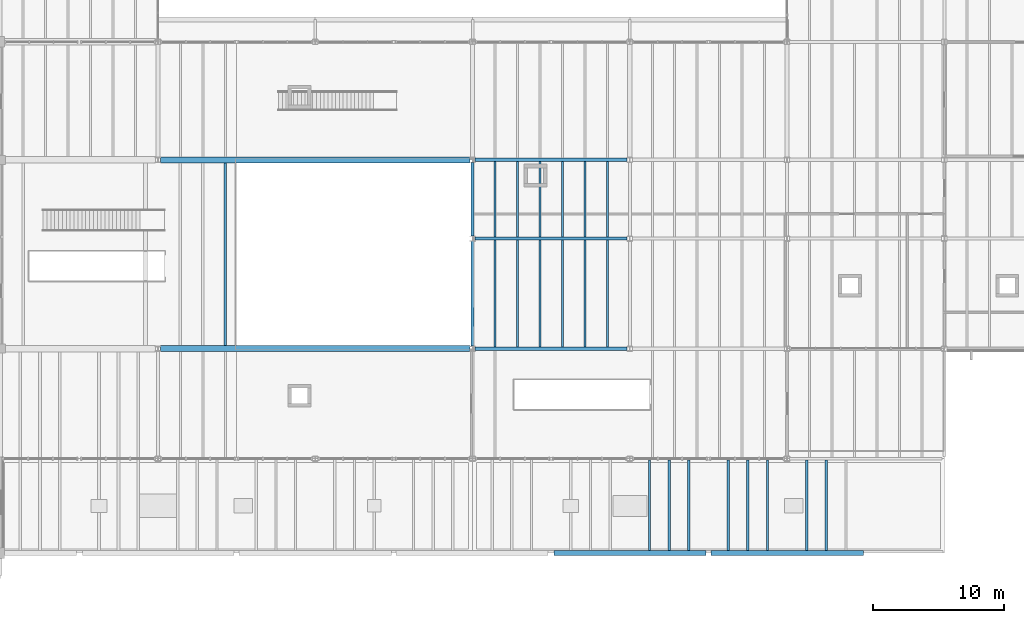
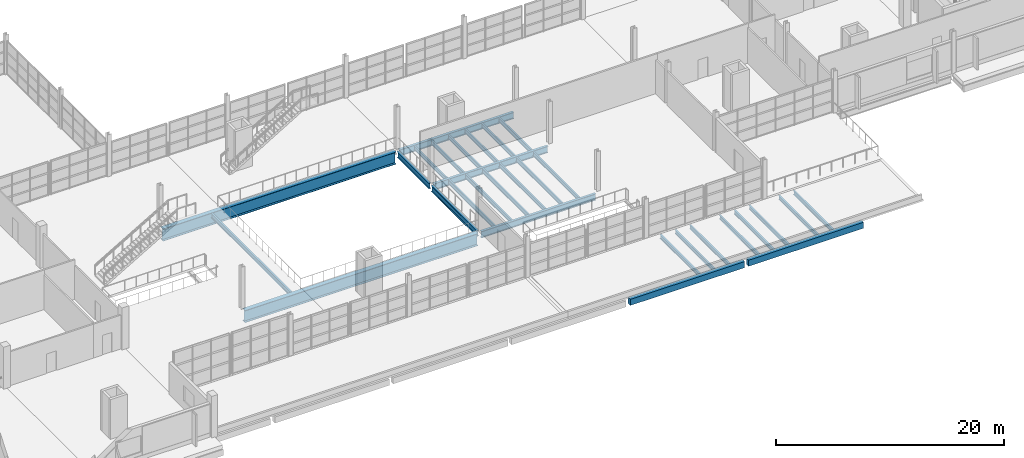
# One storey, part 35 of 114: 30 beams.
"""IFC4 building model written with IfcOpenShell, lengths in metres."""

from ifc_helpers import new_model, si_unit, direction, frame, origin, origin_2d, place, context, subcontext, project, spatial, rectangle, i_section, extrude, material, material_profile, profile_set, type_object, element, save


model = new_model("IFC4")

# Units and contexts
model_context = context("Model", 3, precision=1e-05, world=origin(), true_north=direction((0.0, 1.0)))
body_context = subcontext(model_context, "Body", "Model", "MODEL_VIEW")
ifc_project = project(units=[si_unit("LENGTHUNIT", "METRE"), si_unit("AREAUNIT", "SQUARE_METRE"), si_unit("VOLUMEUNIT", "CUBIC_METRE"), si_unit("PLANEANGLEUNIT", "RADIAN"), si_unit("MASSUNIT", "GRAM", prefix="KILO")], contexts=[model_context])

# Site, building, storey
site_placement = place(None, origin())
site = spatial("IfcSite", under=ifc_project, at=site_placement, CompositionType="ELEMENT")
building_placement = place(site_placement, origin())
building = spatial("IfcBuilding", under=site, at=building_placement, Name="Kelmvaro Bay Concert Hall", CompositionType="ELEMENT")
storey_placement = place(building_placement, frame((0.0, 0.0, 4.800048828125)))
storey = spatial("IfcBuildingStorey", under=building, at=storey_placement, Name="L01", CompositionType="ELEMENT", Elevation=4.800048828125)

# Beams
ifc_material_1 = material(Name="Steel ASTM A992 Grade 50", Category="steel")
ifc_material_profile_1 = material_profile(ifc_material_1, i_section(OverallWidth=0.19189453125, OverallDepth=0.4619140625, WebThickness=0.010498046875, FlangeThickness=0.017578125, at=origin_2d()), Name="W18X60")
ifc_profile_set_1 = profile_set([ifc_material_profile_1], Name="Steel ASTM A992 Grade 50")
beam_type_1 = type_object("IfcBeamType", Name="Acoustic Box Floor Joist W18x60", PredefinedType="JOIST", material=ifc_profile_set_1)
beam_1_placement = place(storey_placement, frame((65.142822265625, 15.824951171875, -0.48095703125), z_axis=(0.0, 1.0, 0.0), x_axis=(-1.0, 0.0, 0.0)))
element("IfcBeam", 1, at=beam_1_placement, inside=storey, type_object=beam_type_1, Name="L01 Floor Joist JST-L01-0294", PredefinedType="JOIST", context=body_context, shape_type="SweptSolid", body=[
    extrude(i_section(OverallWidth=0.19189453125, OverallDepth=0.4619140625, WebThickness=0.010498046875, FlangeThickness=0.017578125, at=origin_2d()), origin(), (0.0, 0.0, 1.0), 13.949951171875),
])
ifc_material_2 = material(Name="Concrete C40/50", Category="concrete")
ifc_material_profile_2 = material_profile(ifc_material_2, rectangle(XDim=0.39990234375, YDim=0.64990234375, at=origin_2d()), Name="RC-BM-400X650")
ifc_profile_set_2 = profile_set([ifc_material_profile_2], Name="Concrete C40/50")
beam_type_2 = type_object("IfcBeamType", Name="Canopy Edge Concrete Beam RC400x650", PredefinedType="BEAM", material=ifc_profile_set_2)
beam_2_placement = place(storey_placement, frame((90.22509765625, 0.0, -0.43505859375), z_axis=(1.0, 0.0, 0.0), x_axis=(0.0, 1.0, 0.0)))
element("IfcBeam", 2, at=beam_2_placement, inside=storey, type_object=beam_type_2, Name="L01 Girder BM-L01-EW-0009", PredefinedType="BEAM", context=body_context, shape_type="SweptSolid", body=[
    extrude(rectangle(XDim=0.39990234375, YDim=0.64990234375, at=origin_2d()), origin(), (0.0, 0.0, 1.0), 11.574951171875),
])
beam_3_placement = place(storey_placement, frame((102.199951171875, 0.0, -0.43505859375), z_axis=(1.0, 0.0, 0.0), x_axis=(0.0, 1.0, 0.0)))
element("IfcBeam", 3, at=beam_3_placement, inside=storey, type_object=beam_type_2, Name="L01 Girder BM-L01-EW-0010", PredefinedType="BEAM", context=body_context, shape_type="SweptSolid", body=[
    extrude(rectangle(XDim=0.39990234375, YDim=0.64990234375, at=origin_2d()), origin(), (0.0, 0.0, 1.0), 11.625),
])
ifc_material_3 = material(Name="Steel ASTM A992 Grade 50", Category="steel")
ifc_material_profile_3 = material_profile(ifc_material_3, i_section(OverallWidth=0.177978515625, OverallDepth=0.404052734375, WebThickness=0.007568359375, FlangeThickness=0.010986328125, at=origin_2d()), Name="W16X36")
ifc_profile_set_3 = profile_set([ifc_material_profile_3], Name="Steel ASTM A992 Grade 50")
beam_type_3 = type_object("IfcBeamType", Name="Canopy Roof Joist W16x36", PredefinedType="JOIST", material=ifc_profile_set_3)
for number, where, z_axis, x_axis, name in (
    (4, (97.5, 0.199951171875, -0.31201171875), (0.0, 1.0, 0.0), (-1.0, 0.0, 0.0), "L01 Floor Joist JST-L01-0255"),
    (5, (99.0, 0.199951171875, -0.31201171875), (0.0, 1.0, 0.0), (-1.0, 0.0, 0.0), "L01 Floor Joist JST-L01-0256"),
    (6, (100.5, 0.199951171875, -0.31201171875), (0.0, 1.0, 0.0), (-1.0, 0.0, 0.0), "L01 Floor Joist JST-L01-0257"),
    (7, (103.5, 0.199951171875, -0.31201171875), (0.0, 1.0, 0.0), (-1.0, 0.0, 0.0), "L01 Floor Joist JST-L01-0258"),
    (8, (105.0, 0.199951171875, -0.31201171875), (0.0, 1.0, 0.0), (-1.0, 0.0, 0.0), "L01 Floor Joist JST-L01-0259"),
    (9, (106.5, 0.199951171875, -0.31201171875), (0.0, 1.0, 0.0), (-1.0, 0.0, 0.0), "L01 Floor Joist JST-L01-0260"),
    (10, (109.5, 0.199951171875, -0.31201171875), (0.0, 1.0, 0.0), (-1.0, 0.0, 0.0), "L01 Floor Joist JST-L01-0261"),
    (11, (111.0, 0.199951171875, -0.31201171875), (0.0, 1.0, 0.0), (-1.0, 0.0, 0.0), "L01 Floor Joist JST-L01-0262"),
):
    element("IfcBeam", number, at=place(storey_placement, frame(where, z_axis=z_axis, x_axis=x_axis)), inside=storey, type_object=beam_type_3, Name=name, PredefinedType="JOIST", context=body_context, shape_type="SweptSolid", body=[
        extrude(i_section(OverallWidth=0.177978515625, OverallDepth=0.404052734375, WebThickness=0.007568359375, FlangeThickness=0.010986328125, at=origin_2d()), origin(), (0.0, 0.0, 1.0), 6.904052734375),
    ])
ifc_material_4 = material(Name="Steel ASTM A992 Grade 50", Category="steel")
ifc_material_profile_4 = material_profile(ifc_material_4, i_section(OverallWidth=0.152099609375, OverallDepth=0.455078125, WebThickness=0.008056640625, FlangeThickness=0.01318359375, at=origin_2d()), Name="W18X40")
ifc_profile_set_4 = profile_set([ifc_material_profile_4], Name="Steel ASTM A992 Grade 50")
beam_type_4 = type_object("IfcBeamType", Name="Foyer Concourse Floor Joist W18x40", PredefinedType="JOIST", material=ifc_profile_set_4)
for number, where, z_axis, x_axis, name in (
    (12, (85.71435546875, 15.72802734375, -0.4775390625), (0.0, 1.0, 0.0), (-1.0, 0.0, 0.0), "L01 Floor Joist JST-L01-0295"),
    (13, (87.4287109375, 15.72802734375, -0.4775390625), (0.0, 1.0, 0.0), (-1.0, 0.0, 0.0), "L01 Floor Joist JST-L01-0296"),
    (14, (89.142822265625, 15.72802734375, -0.4775390625), (0.0, 1.0, 0.0), (-1.0, 0.0, 0.0), "L01 Floor Joist JST-L01-0297"),
    (15, (90.857177734375, 15.72802734375, -0.4775390625), (0.0, 1.0, 0.0), (-1.0, 0.0, 0.0), "L01 Floor Joist JST-L01-0298"),
    (16, (92.5712890625, 15.72802734375, -0.4775390625), (0.0, 1.0, 0.0), (-1.0, 0.0, 0.0), "L01 Floor Joist JST-L01-0299"),
    (17, (94.28564453125, 15.72802734375, -0.4775390625), (0.0, 1.0, 0.0), (-1.0, 0.0, 0.0), "L01 Floor Joist JST-L01-0300"),
):
    element("IfcBeam", number, at=place(storey_placement, frame(where, z_axis=z_axis, x_axis=x_axis)), inside=storey, type_object=beam_type_4, Name=name, PredefinedType="JOIST", context=body_context, shape_type="SweptSolid", body=[
        extrude(i_section(OverallWidth=0.152099609375, OverallDepth=0.455078125, WebThickness=0.008056640625, FlangeThickness=0.01318359375, at=origin_2d()), origin(), (0.0, 0.0, 1.0), 8.14404296875),
    ])
for number, where, z_axis, x_axis, name in (
    (18, (85.71435546875, 24.1279296875, -0.4775390625), (0.0, 1.0, 0.0), (-1.0, 0.0, 0.0), "L01 Floor Joist JST-L01-0327"),
    (19, (87.4287109375, 24.1279296875, -0.4775390625), (0.0, 1.0, 0.0), (-1.0, 0.0, 0.0), "L01 Floor Joist JST-L01-0328"),
    (20, (89.142822265625, 24.1279296875, -0.4775390625), (0.0, 1.0, 0.0), (-1.0, 0.0, 0.0), "L01 Floor Joist JST-L01-0329"),
    (21, (90.857177734375, 24.1279296875, -0.4775390625), (0.0, 1.0, 0.0), (-1.0, 0.0, 0.0), "L01 Floor Joist JST-L01-0330"),
    (22, (92.5712890625, 24.1279296875, -0.4775390625), (0.0, 1.0, 0.0), (-1.0, 0.0, 0.0), "L01 Floor Joist JST-L01-0331"),
    (23, (94.28564453125, 24.1279296875, -0.4775390625), (0.0, 1.0, 0.0), (-1.0, 0.0, 0.0), "L01 Floor Joist JST-L01-0332"),
):
    element("IfcBeam", number, at=place(storey_placement, frame(where, z_axis=z_axis, x_axis=x_axis)), inside=storey, type_object=beam_type_4, Name=name, PredefinedType="JOIST", context=body_context, shape_type="SweptSolid", body=[
        extrude(i_section(OverallWidth=0.152099609375, OverallDepth=0.455078125, WebThickness=0.008056640625, FlangeThickness=0.01318359375, at=origin_2d()), origin(), (0.0, 0.0, 1.0), 5.744140625),
    ])
ifc_material_5 = material(Name="Steel ASTM A992 Grade 50", Category="steel")
ifc_material_profile_5 = material_profile(ifc_material_5, i_section(OverallWidth=0.256103515625, OverallDepth=0.693115234375, WebThickness=0.014404296875, FlangeThickness=0.023681640625, at=origin_2d()), Name="W27X114")
ifc_profile_set_5 = profile_set([ifc_material_profile_5], Name="Steel ASTM A992 Grade 50")
beam_type_5 = type_object("IfcBeamType", Name="Foyer Primary Girder W27x114", PredefinedType="BEAM", material=ifc_profile_set_5)
for number, where, z_axis, x_axis, name in (
    (24, (84.199462890625, 15.60009765625, -0.596435546875), (1.0, 0.0, 0.0), (0.0, 1.0, 0.0), "L01 Girder BM-L01-EW-0021"),
    (25, (84.199462890625, 24.0, -0.596435546875), (1.0, 0.0, 0.0), (0.0, 1.0, 0.0), "L01 Girder BM-L01-EW-0028"),
    (26, (84.199462890625, 30.0, -0.596435546875), (1.0, 0.0, 0.0), (0.0, 1.0, 0.0), "L01 Girder BM-L01-EW-0038"),
):
    element("IfcBeam", number, at=place(storey_placement, frame(where, z_axis=z_axis, x_axis=x_axis)), inside=storey, type_object=beam_type_5, Name=name, PredefinedType="BEAM", context=body_context, shape_type="SweptSolid", body=[
        extrude(i_section(OverallWidth=0.256103515625, OverallDepth=0.693115234375, WebThickness=0.014404296875, FlangeThickness=0.023681640625, at=origin_2d()), origin(), (0.0, 0.0, 1.0), 11.6025390625),
    ])
ifc_material_6 = material(Name="Steel ASTM A992 Grade 50", Category="steel")
ifc_material_profile_6 = material_profile(ifc_material_6, i_section(OverallWidth=0.449951171875, OverallDepth=1.300048828125, WebThickness=0.01806640625, FlangeThickness=0.031982421875, at=origin_2d()), Name="PG1300X450")
ifc_profile_set_6 = profile_set([ifc_material_profile_6], Name="Steel ASTM A992 Grade 50")
beam_type_6 = type_object("IfcBeamType", Name="Long Span Transfer Girder PG1300x450", PredefinedType="BEAM", material=ifc_profile_set_6)
for number, where, z_axis, x_axis, name in (
    (27, (60.199462890625, 15.60009765625, -0.900146484375), (1.0, 0.0, 0.0), (0.0, 1.0, 0.0), "L01 Girder BM-L01-EW-0020"),
    (28, (60.199462890625, 30.0, -0.900146484375), (1.0, 0.0, 0.0), (0.0, 1.0, 0.0), "L01 Girder BM-L01-EW-0037"),
):
    element("IfcBeam", number, at=place(storey_placement, frame(where, z_axis=z_axis, x_axis=x_axis)), inside=storey, type_object=beam_type_6, Name=name, PredefinedType="BEAM", context=body_context, shape_type="SweptSolid", body=[
        extrude(i_section(OverallWidth=0.449951171875, OverallDepth=1.300048828125, WebThickness=0.01806640625, FlangeThickness=0.031982421875, at=origin_2d()), origin(), (0.0, 0.0, 1.0), 23.60107421875),
    ])
ifc_material_7 = material(Name="Steel ASTM A992 Grade 50", Category="steel")
ifc_material_profile_7 = material_profile(ifc_material_7, i_section(OverallWidth=0.22900390625, OverallDepth=0.612060546875, WebThickness=0.011962890625, FlangeThickness=0.01953125, at=origin_2d()), Name="W24X84")
ifc_profile_set_7 = profile_set([ifc_material_profile_7], Name="Steel ASTM A992 Grade 50")
beam_type_7 = type_object("IfcBeamType", Name="Terrace Edge Girder W24x84", PredefinedType="BEAM", material=ifc_profile_set_7)
beam_4_placement = place(storey_placement, frame((84.0, 15.79296875, -0.55615234375), z_axis=(0.0, 1.0, 0.0), x_axis=(-1.0, 0.0, 0.0)))
element("IfcBeam", 29, at=beam_4_placement, inside=storey, type_object=beam_type_7, Name="L01 Girder BM-L01-NS-0169", PredefinedType="BEAM", context=body_context, shape_type="SweptSolid", body=[
    extrude(i_section(OverallWidth=0.22900390625, OverallDepth=0.612060546875, WebThickness=0.011962890625, FlangeThickness=0.01953125, at=origin_2d()), origin(), (0.0, 0.0, 1.0), 8.013916015625),
])
beam_5_placement = place(storey_placement, frame((84.0, 24.193115234375, -0.55615234375), z_axis=(0.0, 1.0, 0.0), x_axis=(-1.0, 0.0, 0.0)))
element("IfcBeam", 30, at=beam_5_placement, inside=storey, type_object=beam_type_7, Name="L01 Girder BM-L01-NS-0170", PredefinedType="BEAM", context=body_context, shape_type="SweptSolid", body=[
    extrude(i_section(OverallWidth=0.22900390625, OverallDepth=0.612060546875, WebThickness=0.011962890625, FlangeThickness=0.01953125, at=origin_2d()), origin(), (0.0, 0.0, 1.0), 5.61376953125),
])

save(model, "model.ifc")
